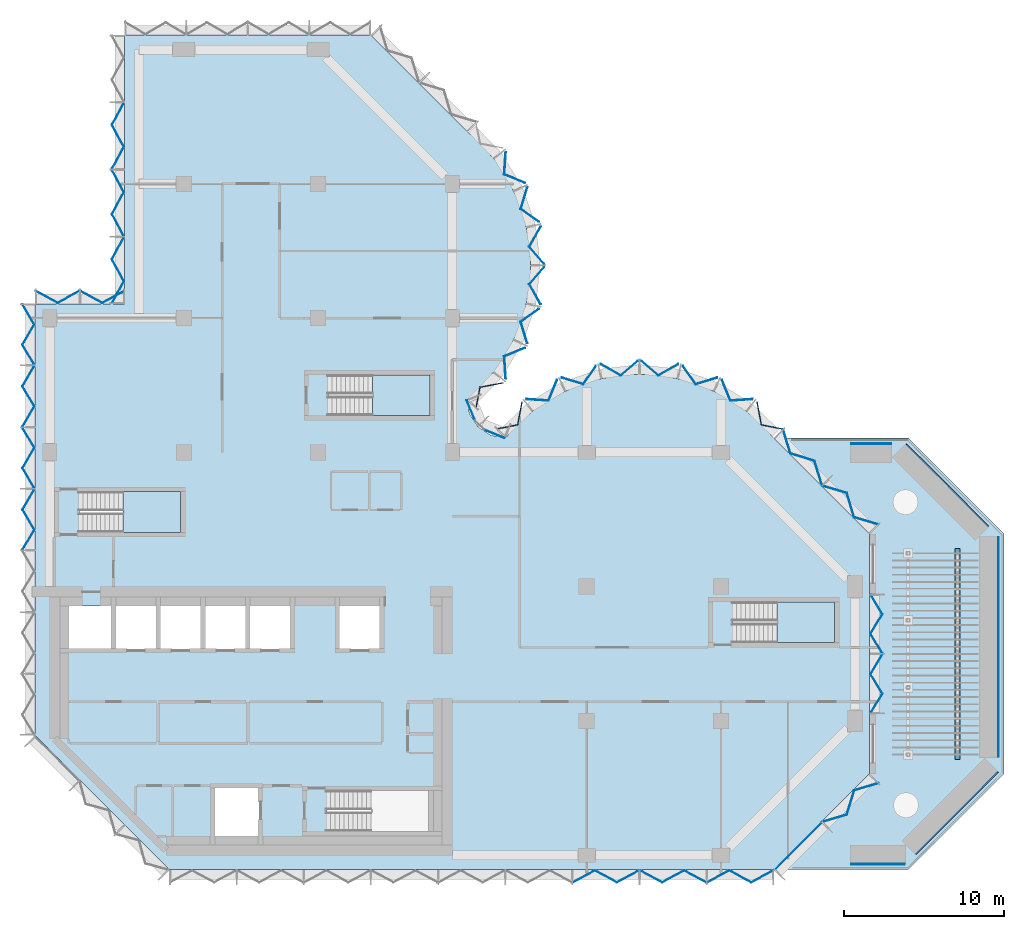
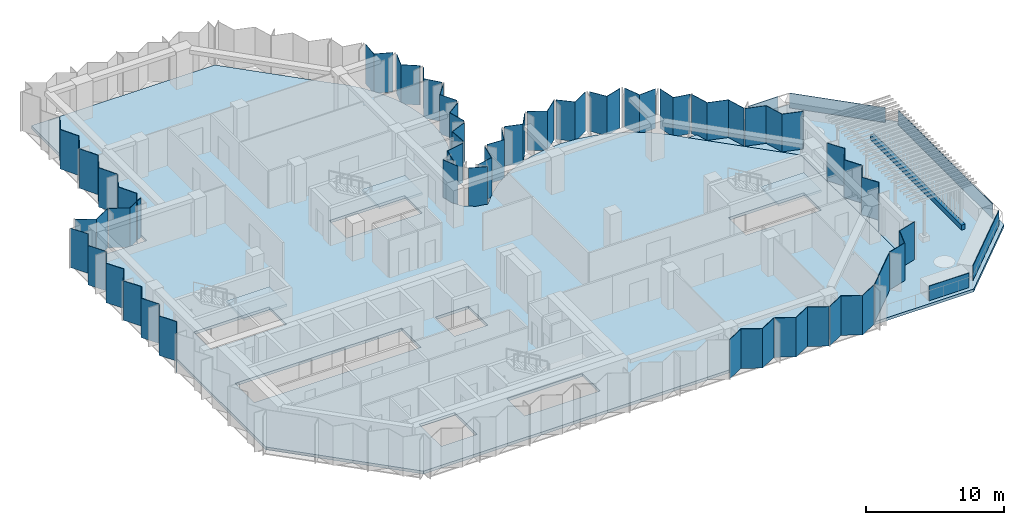
# One storey, part 6 of 14: 40 plates, 6 slabs, 13 elements without a shape of their own.
"""IFC4 building model written with IfcOpenShell, lengths in metres."""

from ifc_helpers import new_model, si_unit, direction, frame, origin, place, context, subcontext, project, spatial, polyline, outline, extrude, material, layer, layer_set, type_object, element, aggregate, save


model = new_model("IFC4")

# Units and contexts
model_context = context("Model", 3, precision=1e-05, world=origin(), true_north=direction((0.0, 1.0)))
body_context = subcontext(model_context, "Body", "Model", "MODEL_VIEW")
ifc_project = project(units=[si_unit("LENGTHUNIT", "METRE"), si_unit("AREAUNIT", "SQUARE_METRE"), si_unit("VOLUMEUNIT", "CUBIC_METRE"), si_unit("PLANEANGLEUNIT", "RADIAN"), si_unit("MASSUNIT", "GRAM", prefix="KILO")], contexts=[model_context])

# Site, building, storey
site_placement = place(None, origin())
site = spatial("IfcSite", under=ifc_project, at=site_placement, CompositionType="ELEMENT")
building_placement = place(site_placement, origin())
building = spatial("IfcBuilding", under=site, at=building_placement, Name="Brevane Broadcast Tower", CompositionType="ELEMENT")
storey_placement = place(building_placement, frame((0.0, 0.0, 184.800048828125)))
storey = spatial("IfcBuildingStorey", under=building, at=storey_placement, Name="L46", CompositionType="ELEMENT", Elevation=184.800048828125)

# Curtain wall, plates
ifc_material_1 = material(Name="Aluminium 6063-T6 bronze anodised", Category="aluminium")
curtain_wall_type = type_object("IfcCurtainWallType", Name="CW-1 curtain wall", PredefinedType="NOTDEFINED", material=ifc_material_1)
curtain_wall_1_placement = place(storey_placement, origin())
curtain_wall_1 = element("IfcCurtainWall", 1, at=curtain_wall_1_placement, inside=storey, type_object=curtain_wall_type, Name="CW-1 typical tilted unit L46 south face", PredefinedType="NOTDEFINED")
ifc_material_2 = material(Name="Laminated glass bronze-tinted", Category="glass")
ifc_layer_1 = layer(ifc_material_2, 0.0400390625)
ifc_layer_set_1 = layer_set([ifc_layer_1], Name="CW tall glass panel 40")
plate_type_1 = type_object("IfcPlateType", Name="CW tall glass panel 40", PredefinedType="CURTAIN_PANEL", material=ifc_layer_set_1)
plate_1_placement = place(storey_placement, frame((0.0, 0.0, -0.150146484375)))
plate_1 = element("IfcPlate", 2, at=plate_1_placement, type_object=plate_type_1, Name="CW-1 glass panel", PredefinedType="CURTAIN_PANEL", context=body_context, shape_type="SweptSolid", body=[
    extrude(outline(polyline([(32.735107421875, -1.671630859375), (32.735107421875, -1.717041015625), (34.11181640625, -0.97265625), (35.48828125, -1.717041015625), (36.864990234375, -0.97265625), (36.864990234375, -0.92724609375), (35.48828125, -1.671630859375), (34.11181640625, -0.92724609375), (32.735107421875, -1.671630859375)])), origin(), (0.0, 0.0, 1.0), 3.5),
])
plate_2_placement = place(storey_placement, frame((0.0, 0.0, -0.150146484375)))
plate_2 = element("IfcPlate", 3, at=plate_2_placement, type_object=plate_type_1, Name="CW-1 glass panel", PredefinedType="CURTAIN_PANEL", context=body_context, shape_type="SweptSolid", body=[
    extrude(outline(polyline([(36.93505859375, -0.92724609375), (36.93505859375, -0.97265625), (38.311767578125, -1.717041015625), (39.688232421875, -0.97265625), (41.06494140625, -1.717041015625), (41.06494140625, -1.671630859375), (39.688232421875, -0.92724609375), (38.311767578125, -1.671630859375), (36.93505859375, -0.92724609375)])), origin(), (0.0, 0.0, 1.0), 3.5),
])
plate_3_placement = place(storey_placement, frame((0.0, 0.0, -0.150146484375)))
plate_3 = element("IfcPlate", 4, at=plate_3_placement, type_object=plate_type_1, Name="CW-1 glass panel", PredefinedType="CURTAIN_PANEL", context=body_context, shape_type="SweptSolid", body=[
    extrude(outline(polyline([(41.135009765625, -1.671630859375), (41.135009765625, -1.717041015625), (42.51171875, -0.97265625), (43.88818359375, -1.717041015625), (45.264892578125, -0.97265625), (45.264892578125, -0.92724609375), (43.88818359375, -1.671630859375), (42.51171875, -0.92724609375), (41.135009765625, -1.671630859375)])), origin(), (0.0, 0.0, 1.0), 3.5),
])
aggregate(curtain_wall_1, [plate_1, plate_2, plate_3])

curtain_wall_2_placement = place(storey_placement, origin())
curtain_wall_2 = element("IfcCurtainWall", 5, at=curtain_wall_2_placement, inside=storey, type_object=curtain_wall_type, Name="CW-1 typical tilted unit L46 south-east chamfer", PredefinedType="NOTDEFINED")
plate_4_placement = place(storey_placement, frame((0.0, 0.0, -0.150146484375)))
plate_4 = element("IfcPlate", 6, at=plate_4_placement, type_object=plate_type_1, Name="CW-1 glass panel", PredefinedType="CURTAIN_PANEL", context=body_context, shape_type="SweptSolid", body=[
    extrude(outline(polyline([(45.345947265625, -0.896484375), (48.29638671875, 2.053955078125), (48.32470703125, 2.02587890625), (45.374267578125, -0.9248046875), (45.345947265625, -0.896484375)])), origin(), (0.0, 0.0, 1.0), 3.5),
])
plate_5_placement = place(storey_placement, frame((0.0, 0.0, -0.150146484375)))
plate_5 = element("IfcPlate", 7, at=plate_5_placement, type_object=plate_type_1, Name="CW-1 glass panel", PredefinedType="CURTAIN_PANEL", context=body_context, shape_type="SweptSolid", body=[
    extrude(outline(polyline([(48.343994140625, 2.10546875), (48.376220703125, 2.073486328125), (49.885986328125, 2.530517578125), (50.343017578125, 4.040283203125), (51.85302734375, 4.49755859375), (51.82080078125, 4.529541015625), (50.31103515625, 4.072509765625), (49.85400390625, 2.5625), (48.343994140625, 2.10546875)])), origin(), (0.0, 0.0, 1.0), 3.5),
])
aggregate(curtain_wall_2, [plate_4, plate_5])

curtain_wall_3_placement = place(storey_placement, origin())
curtain_wall_3 = element("IfcCurtainWall", 8, at=curtain_wall_3_placement, inside=storey, type_object=curtain_wall_type, Name="CW-1 typical tilted unit L46 east end", PredefinedType="NOTDEFINED")
plate_6_placement = place(storey_placement, frame((0.0, 0.0, -0.150146484375)))
plate_6 = element("IfcPlate", 9, at=plate_6_placement, type_object=plate_type_1, Name="CW-1 glass panel", PredefinedType="CURTAIN_PANEL", context=body_context, shape_type="SweptSolid", body=[
    extrude(outline(polyline([(51.32666015625, 8.885009765625), (51.373291015625, 8.885009765625), (52.117919921875, 10.11181640625), (51.373291015625, 11.33837890625), (52.117919921875, 12.56494140625), (52.071044921875, 12.56494140625), (51.32666015625, 11.33837890625), (52.071044921875, 10.11181640625), (51.32666015625, 8.885009765625)])), origin(), (0.0, 0.0, 1.0), 3.5),
])
plate_7_placement = place(storey_placement, frame((0.0, 0.0, -0.150146484375)))
plate_7 = element("IfcPlate", 10, at=plate_7_placement, type_object=plate_type_1, Name="CW-1 glass panel", PredefinedType="CURTAIN_PANEL", context=body_context, shape_type="SweptSolid", body=[
    extrude(outline(polyline([(52.071044921875, 12.635009765625), (52.117919921875, 12.635009765625), (51.373291015625, 13.86181640625), (52.117919921875, 15.08837890625), (51.373291015625, 16.31494140625), (51.32666015625, 16.31494140625), (52.071044921875, 15.08837890625), (51.32666015625, 13.86181640625), (52.071044921875, 12.635009765625)])), origin(), (0.0, 0.0, 1.0), 3.5),
])
aggregate(curtain_wall_3, [plate_6, plate_7])

curtain_wall_4_placement = place(storey_placement, origin())
curtain_wall_4 = element("IfcCurtainWall", 11, at=curtain_wall_4_placement, inside=storey, type_object=curtain_wall_type, Name="CW-1 typical tilted unit L46 north-east chamfer", PredefinedType="NOTDEFINED")
plate_8_placement = place(storey_placement, frame((0.0, 0.0, -0.150146484375)))
plate_8 = element("IfcPlate", 12, at=plate_8_placement, type_object=plate_type_1, Name="CW-1 glass panel", PredefinedType="CURTAIN_PANEL", context=body_context, shape_type="SweptSolid", body=[
    extrude(outline(polyline([(51.82080078125, 20.67041015625), (51.85302734375, 20.702392578125), (50.343017578125, 21.15966796875), (49.885986328125, 22.66943359375), (48.376220703125, 23.126708984375), (48.343994140625, 23.094482421875), (49.85400390625, 22.637451171875), (50.31103515625, 21.127685546875), (51.82080078125, 20.67041015625)])), origin(), (0.0, 0.0, 1.0), 3.5),
])
plate_9_placement = place(storey_placement, frame((0.0, 0.0, -0.150146484375)))
plate_9 = element("IfcPlate", 13, at=plate_9_placement, type_object=plate_type_1, Name="CW-1 glass panel", PredefinedType="CURTAIN_PANEL", context=body_context, shape_type="SweptSolid", body=[
    extrude(outline(polyline([(48.294677734375, 23.14404296875), (48.32666015625, 23.176025390625), (47.869384765625, 24.68603515625), (46.359619140625, 25.14306640625), (45.902587890625, 26.653076171875), (45.870361328125, 26.620849609375), (46.32763671875, 25.111083984375), (47.83740234375, 24.65380859375), (48.294677734375, 23.14404296875)])), origin(), (0.0, 0.0, 1.0), 3.5),
])
aggregate(curtain_wall_4, [plate_8, plate_9])

curtain_wall_5_placement = place(storey_placement, origin())
curtain_wall_5 = element("IfcCurtainWall", 14, at=curtain_wall_5_placement, inside=storey, type_object=curtain_wall_type, Name="CW-1 typical tilted unit L46 east bow", PredefinedType="NOTDEFINED")
plate_10_placement = place(storey_placement, frame((0.0, 0.0, -0.150146484375)))
plate_10 = element("IfcPlate", 15, at=plate_10_placement, type_object=plate_type_1, Name="CW-1 glass panel", PredefinedType="CURTAIN_PANEL", context=body_context, shape_type="SweptSolid", body=[
    extrude(outline(polyline([(45.79150390625, 26.656005859375), (45.82470703125, 26.690185546875), (44.539306640625, 26.9423828125), (44.263916015625, 28.3857421875), (44.231201171875, 28.34375), (44.5048828125, 26.908203125), (45.79150390625, 26.656005859375)])), origin(), (0.0, 0.0, 1.0), 3.5),
])
plate_11_placement = place(storey_placement, frame((0.0, 0.0, -0.150146484375)))
plate_11 = element("IfcPlate", 16, at=plate_11_placement, type_object=plate_type_1, Name="CW-1 glass panel", PredefinedType="CURTAIN_PANEL", context=body_context, shape_type="SweptSolid", body=[
    extrude(outline(polyline([(43.950439453125, 28.5087890625), (43.9833984375, 28.551025390625), (42.601318359375, 28.462890625), (42.0703125, 29.76171875), (42.046875, 29.712890625), (42.5751953125, 28.42138671875), (43.950439453125, 28.5087890625)])), origin(), (0.0, 0.0, 1.0), 3.5),
])
plate_12_placement = place(storey_placement, frame((0.0, 0.0, -0.150146484375)))
plate_12 = element("IfcPlate", 17, at=plate_12_placement, type_object=plate_type_1, Name="CW-1 glass panel", PredefinedType="CURTAIN_PANEL", context=body_context, shape_type="SweptSolid", body=[
    extrude(outline(polyline([(41.75537109375, 29.851806640625), (41.778564453125, 29.900634765625), (40.435546875, 29.494384765625), (39.6328125, 30.622802734375), (39.62060546875, 30.57080078125), (40.41943359375, 29.44775390625), (41.75537109375, 29.851806640625)])), origin(), (0.0, 0.0, 1.0), 3.5),
])
plate_13_placement = place(storey_placement, frame((0.0, 0.0, -0.150146484375)))
plate_13 = element("IfcPlate", 18, at=plate_13_placement, type_object=plate_type_1, Name="CW-1 glass panel", PredefinedType="CURTAIN_PANEL", context=body_context, shape_type="SweptSolid", body=[
    extrude(outline(polyline([(39.31640625, 30.68798828125), (39.328369140625, 30.740478515625), (38.069580078125, 30.036376953125), (37.008056640625, 30.94921875), (37.008056640625, 30.896484375), (38.064697265625, 29.98779296875), (39.31640625, 30.68798828125)])), origin(), (0.0, 0.0, 1.0), 3.5),
])
plate_14_placement = place(storey_placement, frame((0.0, 0.0, -0.150146484375)))
plate_14 = element("IfcPlate", 19, at=plate_14_placement, type_object=plate_type_1, Name="CW-1 glass panel", PredefinedType="CURTAIN_PANEL", context=body_context, shape_type="SweptSolid", body=[
    extrude(outline(polyline([(36.7919921875, 30.896484375), (36.7919921875, 30.94921875), (35.730224609375, 30.036376953125), (34.4716796875, 30.740478515625), (34.483642578125, 30.68798828125), (35.735107421875, 29.98779296875), (36.7919921875, 30.896484375)])), origin(), (0.0, 0.0, 1.0), 3.5),
])
plate_15_placement = place(storey_placement, frame((0.0, 0.0, -0.150146484375)))
plate_15 = element("IfcPlate", 20, at=plate_15_placement, type_object=plate_type_1, Name="CW-1 glass panel", PredefinedType="CURTAIN_PANEL", context=body_context, shape_type="SweptSolid", body=[
    extrude(outline(polyline([(34.17919921875, 30.57080078125), (34.167236328125, 30.622802734375), (33.364501953125, 29.494384765625), (32.021484375, 29.900634765625), (32.044677734375, 29.851806640625), (33.380615234375, 29.44775390625), (34.17919921875, 30.57080078125)])), origin(), (0.0, 0.0, 1.0), 3.5),
])
plate_16_placement = place(storey_placement, frame((0.0, 0.0, -0.150146484375)))
plate_16 = element("IfcPlate", 21, at=plate_16_placement, type_object=plate_type_1, Name="CW-1 glass panel", PredefinedType="CURTAIN_PANEL", context=body_context, shape_type="SweptSolid", body=[
    extrude(outline(polyline([(31.753173828125, 29.712890625), (31.729736328125, 29.76171875), (31.198486328125, 28.462890625), (29.816650390625, 28.551025390625), (29.849609375, 28.5087890625), (31.224609375, 28.42138671875), (31.753173828125, 29.712890625)])), origin(), (0.0, 0.0, 1.0), 3.5),
])
plate_17_placement = place(storey_placement, frame((0.0, 0.0, -0.150146484375)))
plate_17 = element("IfcPlate", 22, at=plate_17_placement, type_object=plate_type_1, Name="CW-1 glass panel", PredefinedType="CURTAIN_PANEL", context=body_context, shape_type="SweptSolid", body=[
    extrude(outline(polyline([(29.568603515625, 28.34375), (29.535888671875, 28.3857421875), (29.2607421875, 26.9423828125), (27.975341796875, 26.690185546875), (28.008544921875, 26.656005859375), (29.294921875, 26.908203125), (29.568603515625, 28.34375)])), origin(), (0.0, 0.0, 1.0), 3.5),
])
aggregate(curtain_wall_5, [plate_10, plate_11, plate_12, plate_13, plate_14, plate_15, plate_16, plate_17])

curtain_wall_6_placement = place(storey_placement, origin())
curtain_wall_6 = element("IfcCurtainWall", 23, at=curtain_wall_6_placement, inside=storey, type_object=curtain_wall_type, Name="CW-1 typical tilted unit L46 inner corner", PredefinedType="NOTDEFINED")
plate_18_placement = place(storey_placement, frame((0.0, 0.0, -0.150146484375)))
plate_18 = element("IfcPlate", 24, at=plate_18_placement, type_object=plate_type_1, Name="CW-1 glass panel", PredefinedType="CURTAIN_PANEL", context=body_context, shape_type="SweptSolid", body=[
    extrude(outline(polyline([(28.45166015625, 26.07470703125), (28.466796875, 26.111572265625), (27.2021484375, 26.635498046875), (27.17138671875, 26.60498046875), (28.45166015625, 26.07470703125)])), origin(), (0.0, 0.0, 1.0), 3.5),
])
plate_19_placement = place(storey_placement, frame((0.0, 0.0, -0.150146484375)))
plate_19 = element("IfcPlate", 25, at=plate_19_placement, type_object=plate_type_1, Name="CW-1 glass panel", PredefinedType="CURTAIN_PANEL", context=body_context, shape_type="SweptSolid", body=[
    extrude(outline(polyline([(26.60498046875, 27.17138671875), (26.635498046875, 27.2021484375), (26.111572265625, 28.466796875), (26.07470703125, 28.45166015625), (26.60498046875, 27.17138671875)])), origin(), (0.0, 0.0, 1.0), 3.5),
])
aggregate(curtain_wall_6, [plate_18, plate_19])

curtain_wall_7_placement = place(storey_placement, origin())
curtain_wall_7 = element("IfcCurtainWall", 26, at=curtain_wall_7_placement, inside=storey, type_object=curtain_wall_type, Name="CW-1 typical tilted unit L46 north bow", PredefinedType="NOTDEFINED")
plate_20_placement = place(storey_placement, frame((0.0, 0.0, -0.150146484375)))
plate_20 = element("IfcPlate", 27, at=plate_20_placement, type_object=plate_type_1, Name="CW-1 glass panel", PredefinedType="CURTAIN_PANEL", context=body_context, shape_type="SweptSolid", body=[
    extrude(outline(polyline([(26.656005859375, 28.008544921875), (26.690185546875, 27.975341796875), (26.9423828125, 29.2607421875), (28.3857421875, 29.535888671875), (28.34375, 29.568603515625), (26.908203125, 29.294921875), (26.656005859375, 28.008544921875)])), origin(), (0.0, 0.0, 1.0), 3.5),
])
plate_21_placement = place(storey_placement, frame((0.0, 0.0, -0.150146484375)))
plate_21 = element("IfcPlate", 28, at=plate_21_placement, type_object=plate_type_1, Name="CW-1 glass panel", PredefinedType="CURTAIN_PANEL", context=body_context, shape_type="SweptSolid", body=[
    extrude(outline(polyline([(28.5087890625, 29.849609375), (28.551025390625, 29.816650390625), (28.462890625, 31.198486328125), (29.76171875, 31.729736328125), (29.712890625, 31.753173828125), (28.42138671875, 31.224609375), (28.5087890625, 29.849609375)])), origin(), (0.0, 0.0, 1.0), 3.5),
])
plate_22_placement = place(storey_placement, frame((0.0, 0.0, -0.150146484375)))
plate_22 = element("IfcPlate", 29, at=plate_22_placement, type_object=plate_type_1, Name="CW-1 glass panel", PredefinedType="CURTAIN_PANEL", context=body_context, shape_type="SweptSolid", body=[
    extrude(outline(polyline([(29.851806640625, 32.044677734375), (29.900634765625, 32.021484375), (29.494384765625, 33.364501953125), (30.622802734375, 34.167236328125), (30.57080078125, 34.17919921875), (29.44775390625, 33.380615234375), (29.851806640625, 32.044677734375)])), origin(), (0.0, 0.0, 1.0), 3.5),
])
plate_23_placement = place(storey_placement, frame((0.0, 0.0, -0.150146484375)))
plate_23 = element("IfcPlate", 30, at=plate_23_placement, type_object=plate_type_1, Name="CW-1 glass panel", PredefinedType="CURTAIN_PANEL", context=body_context, shape_type="SweptSolid", body=[
    extrude(outline(polyline([(30.68798828125, 34.483642578125), (30.740478515625, 34.4716796875), (30.036376953125, 35.730224609375), (30.94921875, 36.7919921875), (30.896484375, 36.7919921875), (29.98779296875, 35.735107421875), (30.68798828125, 34.483642578125)])), origin(), (0.0, 0.0, 1.0), 3.5),
])
plate_24_placement = place(storey_placement, frame((0.0, 0.0, -0.150146484375)))
plate_24 = element("IfcPlate", 31, at=plate_24_placement, type_object=plate_type_1, Name="CW-1 glass panel", PredefinedType="CURTAIN_PANEL", context=body_context, shape_type="SweptSolid", body=[
    extrude(outline(polyline([(30.896484375, 37.008056640625), (30.94921875, 37.008056640625), (30.036376953125, 38.069580078125), (30.740478515625, 39.328369140625), (30.68798828125, 39.31640625), (29.98779296875, 38.064697265625), (30.896484375, 37.008056640625)])), origin(), (0.0, 0.0, 1.0), 3.5),
])
plate_25_placement = place(storey_placement, frame((0.0, 0.0, -0.150146484375)))
plate_25 = element("IfcPlate", 32, at=plate_25_placement, type_object=plate_type_1, Name="CW-1 glass panel", PredefinedType="CURTAIN_PANEL", context=body_context, shape_type="SweptSolid", body=[
    extrude(outline(polyline([(30.57080078125, 39.62060546875), (30.622802734375, 39.6328125), (29.494384765625, 40.435546875), (29.900634765625, 41.778564453125), (29.851806640625, 41.75537109375), (29.44775390625, 40.41943359375), (30.57080078125, 39.62060546875)])), origin(), (0.0, 0.0, 1.0), 3.5),
])
plate_26_placement = place(storey_placement, frame((0.0, 0.0, -0.150146484375)))
plate_26 = element("IfcPlate", 33, at=plate_26_placement, type_object=plate_type_1, Name="CW-1 glass panel", PredefinedType="CURTAIN_PANEL", context=body_context, shape_type="SweptSolid", body=[
    extrude(outline(polyline([(29.712890625, 42.046875), (29.76171875, 42.0703125), (28.462890625, 42.601318359375), (28.551025390625, 43.9833984375), (28.5087890625, 43.950439453125), (28.42138671875, 42.5751953125), (29.712890625, 42.046875)])), origin(), (0.0, 0.0, 1.0), 3.5),
])
aggregate(curtain_wall_7, [plate_20, plate_21, plate_22, plate_23, plate_24, plate_25, plate_26])

curtain_wall_8_placement = place(storey_placement, origin())
curtain_wall_8 = element("IfcCurtainWall", 34, at=curtain_wall_8_placement, inside=storey, type_object=curtain_wall_type, Name="CW-1 typical tilted unit L46 north wing west face, lower block", PredefinedType="NOTDEFINED")
plate_27_placement = place(storey_placement, frame((0.0, 0.0, -0.150146484375)))
plate_27 = element("IfcPlate", 35, at=plate_27_placement, type_object=plate_type_1, Name="CW-1 glass panel", PredefinedType="CURTAIN_PANEL", context=body_context, shape_type="SweptSolid", body=[
    extrude(outline(polyline([(4.672607421875, 47.06494140625), (4.627197265625, 47.06494140625), (3.8828125, 45.688232421875), (4.627197265625, 44.311767578125), (3.8828125, 42.93505859375), (3.92822265625, 42.93505859375), (4.672607421875, 44.311767578125), (3.92822265625, 45.688232421875), (4.672607421875, 47.06494140625)])), origin(), (0.0, 0.0, 1.0), 3.5),
])
plate_28_placement = place(storey_placement, frame((0.0, 0.0, -0.150146484375)))
plate_28 = element("IfcPlate", 36, at=plate_28_placement, type_object=plate_type_1, Name="CW-1 glass panel", PredefinedType="CURTAIN_PANEL", context=body_context, shape_type="SweptSolid", body=[
    extrude(outline(polyline([(3.92822265625, 42.864990234375), (3.8828125, 42.864990234375), (4.627197265625, 41.48828125), (3.8828125, 40.11181640625), (4.627197265625, 38.735107421875), (4.672607421875, 38.735107421875), (3.92822265625, 40.11181640625), (4.672607421875, 41.48828125), (3.92822265625, 42.864990234375)])), origin(), (0.0, 0.0, 1.0), 3.5),
])
plate_29_placement = place(storey_placement, frame((0.0, 0.0, -0.150146484375)))
plate_29 = element("IfcPlate", 37, at=plate_29_placement, type_object=plate_type_1, Name="CW-1 glass panel", PredefinedType="CURTAIN_PANEL", context=body_context, shape_type="SweptSolid", body=[
    extrude(outline(polyline([(4.672607421875, 38.6650390625), (4.627197265625, 38.6650390625), (3.8828125, 37.288330078125), (4.627197265625, 35.91162109375), (3.8828125, 34.534912109375), (3.92822265625, 34.534912109375), (4.672607421875, 35.91162109375), (3.92822265625, 37.288330078125), (4.672607421875, 38.6650390625)])), origin(), (0.0, 0.0, 1.0), 3.5),
])
aggregate(curtain_wall_8, [plate_27, plate_28, plate_29])

curtain_wall_9_placement = place(storey_placement, origin())
curtain_wall_9 = element("IfcCurtainWall", 38, at=curtain_wall_9_placement, inside=storey, type_object=curtain_wall_type, Name="CW-1 typical tilted unit L46 north wing west return, lower block", PredefinedType="NOTDEFINED")
plate_30_placement = place(storey_placement, frame((0.0, 0.0, -0.150146484375)))
plate_30 = element("IfcPlate", 39, at=plate_30_placement, type_object=plate_type_1, Name="CW-1 glass panel", PredefinedType="CURTAIN_PANEL", context=body_context, shape_type="SweptSolid", body=[
    extrude(outline(polyline([(4.6650390625, 35.271484375), (4.6650390625, 35.317138671875), (3.300048828125, 34.57275390625), (1.93505859375, 35.317138671875), (1.93505859375, 35.271484375), (3.300048828125, 34.527099609375), (4.6650390625, 35.271484375)])), origin(), (0.0, 0.0, 1.0), 3.5),
])
plate_31_placement = place(storey_placement, frame((0.0, 0.0, -0.150146484375)))
plate_31 = element("IfcPlate", 40, at=plate_31_placement, type_object=plate_type_1, Name="CW-1 glass panel", PredefinedType="CURTAIN_PANEL", context=body_context, shape_type="SweptSolid", body=[
    extrude(outline(polyline([(1.864990234375, 35.271484375), (1.864990234375, 35.317138671875), (0.5, 34.57275390625), (-0.864990234375, 35.317138671875), (-0.864990234375, 35.271484375), (0.5, 34.527099609375), (1.864990234375, 35.271484375)])), origin(), (0.0, 0.0, 1.0), 3.5),
])
aggregate(curtain_wall_9, [plate_30, plate_31])

curtain_wall_10_placement = place(storey_placement, origin())
curtain_wall_10 = element("IfcCurtainWall", 41, at=curtain_wall_10_placement, inside=storey, type_object=curtain_wall_type, Name="CW-1 typical tilted unit L46 west face", PredefinedType="NOTDEFINED")
plate_32_placement = place(storey_placement, frame((0.0, 0.0, -0.150146484375)))
plate_32 = element("IfcPlate", 42, at=plate_32_placement, type_object=plate_type_1, Name="CW-1 glass panel", PredefinedType="CURTAIN_PANEL", context=body_context, shape_type="SweptSolid", body=[
    extrude(outline(polyline([(-1.671142578125, 34.465087890625), (-1.717529296875, 34.465087890625), (-0.97314453125, 33.20263671875), (-1.717529296875, 31.940185546875), (-0.97314453125, 30.677978515625), (-0.9267578125, 30.677978515625), (-1.671142578125, 31.940185546875), (-0.9267578125, 33.20263671875), (-1.671142578125, 34.465087890625)])), origin(), (0.0, 0.0, 1.0), 3.5),
])
plate_33_placement = place(storey_placement, frame((0.0, 0.0, -0.150146484375)))
plate_33 = element("IfcPlate", 43, at=plate_33_placement, type_object=plate_type_1, Name="CW-1 glass panel", PredefinedType="CURTAIN_PANEL", context=body_context, shape_type="SweptSolid", body=[
    extrude(outline(polyline([(-0.9267578125, 30.60791015625), (-0.97314453125, 30.60791015625), (-1.717529296875, 29.345458984375), (-0.97314453125, 28.0830078125), (-1.717529296875, 26.82080078125), (-1.671142578125, 26.82080078125), (-0.9267578125, 28.0830078125), (-1.671142578125, 29.345458984375), (-0.9267578125, 30.60791015625)])), origin(), (0.0, 0.0, 1.0), 3.5),
])
plate_34_placement = place(storey_placement, frame((0.0, 0.0, -0.150146484375)))
plate_34 = element("IfcPlate", 44, at=plate_34_placement, type_object=plate_type_1, Name="CW-1 glass panel", PredefinedType="CURTAIN_PANEL", context=body_context, shape_type="SweptSolid", body=[
    extrude(outline(polyline([(-1.671142578125, 26.750732421875), (-1.717529296875, 26.750732421875), (-0.97314453125, 25.48828125), (-1.717529296875, 24.22607421875), (-0.97314453125, 22.963623046875), (-0.9267578125, 22.963623046875), (-1.671142578125, 24.22607421875), (-0.9267578125, 25.48828125), (-1.671142578125, 26.750732421875)])), origin(), (0.0, 0.0, 1.0), 3.5),
])
plate_35_placement = place(storey_placement, frame((0.0, 0.0, -0.150146484375)))
plate_35 = element("IfcPlate", 45, at=plate_35_placement, type_object=plate_type_1, Name="CW-1 glass panel", PredefinedType="CURTAIN_PANEL", context=body_context, shape_type="SweptSolid", body=[
    extrude(outline(polyline([(-0.9267578125, 22.8935546875), (-0.97314453125, 22.8935546875), (-1.717529296875, 21.631103515625), (-0.97314453125, 20.368896484375), (-1.717529296875, 19.1064453125), (-1.671142578125, 19.1064453125), (-0.9267578125, 20.368896484375), (-1.671142578125, 21.631103515625), (-0.9267578125, 22.8935546875)])), origin(), (0.0, 0.0, 1.0), 3.5),
])
aggregate(curtain_wall_10, [plate_32, plate_33, plate_34, plate_35])

# Stair, slab
ifc_material_3 = material(Name="Concrete C50/60", Category="concrete")
stair_type = type_object("IfcStairType", Name="Exit stair 22 risers", PredefinedType="HALF_TURN_STAIR", material=ifc_material_3)
stair_1_placement = place(storey_placement, origin())
stair_1 = element("IfcStair", 46, at=stair_1_placement, inside=storey, type_object=stair_type, Name="L46 Exit stair ST-1", PredefinedType="HALF_TURN_STAIR")
ifc_layer_2 = layer(ifc_material_3, 0.199951171875)
ifc_layer_set_2 = layer_set([ifc_layer_2], Name="Exit stair landing")
slab_type_1 = type_object("IfcSlabType", Name="Exit stair landing", PredefinedType="LANDING", material=ifc_layer_set_2)
slab_1_placement = place(storey_placement, frame((0.0, 0.0, 1.599853515625)))
slab_1 = element("IfcSlab", 47, at=slab_1_placement, type_object=slab_type_1, Name="ST-1 landing 1", PredefinedType="LANDING", context=body_context, shape_type="SweptSolid", body=[
    extrude(outline(polyline([(4.60009765625, 20.199951171875), (8.199951171875, 20.199951171875), (8.199951171875, 22.75), (4.60009765625, 22.75), (4.60009765625, 20.199951171875)])), origin(), (0.0, 0.0, 1.0), 0.2001953125),
])
aggregate(stair_1, [slab_1])

stair_2_placement = place(storey_placement, origin())
stair_2 = element("IfcStair", 48, at=stair_2_placement, inside=storey, type_object=stair_type, Name="L46 Exit stair ST-3", PredefinedType="HALF_TURN_STAIR")
slab_2_placement = place(storey_placement, frame((0.0, 0.0, 1.599853515625)))
slab_2 = element("IfcSlab", 49, at=slab_2_placement, type_object=slab_type_1, Name="ST-3 landing 1", PredefinedType="LANDING", context=body_context, shape_type="SweptSolid", body=[
    extrude(outline(polyline([(20.199951171875, 27.5), (23.800048828125, 27.5), (23.800048828125, 30.050048828125), (20.199951171875, 30.050048828125), (20.199951171875, 27.5)])), origin(), (0.0, 0.0, 1.0), 0.2001953125),
])
aggregate(stair_2, [slab_2])

stair_3_placement = place(storey_placement, origin())
stair_3 = element("IfcStair", 50, at=stair_3_placement, inside=storey, type_object=stair_type, Name="L46 Exit stair ST-4", PredefinedType="HALF_TURN_STAIR")
slab_3_placement = place(storey_placement, frame((0.0, 0.0, 1.599853515625)))
slab_3 = element("IfcSlab", 51, at=slab_3_placement, type_object=slab_type_1, Name="ST-4 landing 1", PredefinedType="LANDING", context=body_context, shape_type="SweptSolid", body=[
    extrude(outline(polyline([(45.5, 13.300048828125), (49.10009765625, 13.300048828125), (49.10009765625, 15.85009765625), (45.5, 15.85009765625), (45.5, 13.300048828125)])), origin(), (0.0, 0.0, 1.0), 0.2001953125),
])
aggregate(stair_3, [slab_3])

# Plates
ifc_material_4 = material(Name="Aluminium bronze anodised", Category="aluminium")
ifc_layer_3 = layer(ifc_material_4, 0.050048828125)
ifc_layer_set_3 = layer_set([ifc_layer_3], Name="Planter fascia plate 1300")
plate_type_2 = type_object("IfcPlateType", Name="Planter fascia plate 1300", PredefinedType="SHEET", material=ifc_layer_set_3)
plate_36_placement = place(storey_placement, frame((50.137451171875, -0.574951171875, 0.0), z_axis=(0.0, -1.0, 0.0), x_axis=(1.0, 0.0, 0.0)))
element("IfcPlate", 52, at=plate_36_placement, inside=storey, type_object=plate_type_2, Name="Bed fascia L46-1", PredefinedType="SHEET", context=body_context, shape_type="SweptSolid", body=[
    extrude(outline(polyline([(0.0, 0.0), (3.357666015625, 0.0), (3.357666015625, 1.300048828125), (0.0, 1.300048828125), (0.0, 0.0)])), origin(), (0.0, 0.0, -1.0), 0.050048828125),
])
plate_37_placement = place(storey_placement, frame((54.215087890625, 0.07470703125, 0.0), z_axis=(0.707106781187, -0.707106781187, 0.0), x_axis=(0.707106781187, 0.707106781187, 0.0)))
element("IfcPlate", 53, at=plate_37_placement, inside=storey, type_object=plate_type_2, Name="Bed fascia L46-2", PredefinedType="SHEET", context=body_context, shape_type="SweptSolid", body=[
    extrude(outline(polyline([(0.0, 0.0), (7.226783221199037, 0.0), (7.226783221199037, 1.3000488281250002), (0.0, 1.3000488281250002), (0.0, 0.0)])), origin(), (0.0, 0.0, -1.0), 0.050048828125),
])
plate_38_placement = place(storey_placement, frame((59.375, 6.153564453125, 0.0), z_axis=(1.0, 0.0, 0.0), x_axis=(0.0, 1.0, 0.0)))
element("IfcPlate", 54, at=plate_38_placement, inside=storey, type_object=plate_type_2, Name="Bed fascia L46-3", PredefinedType="SHEET", context=body_context, shape_type="SweptSolid", body=[
    extrude(outline(polyline([(0.0, 0.0), (13.741455078125, 0.0), (13.741455078125, 1.300048828125), (0.0, 1.300048828125), (0.0, 0.0)])), origin(), (0.0, 0.0, -1.0), 0.050048828125),
])
plate_39_placement = place(storey_placement, frame((58.725341796875, 20.615234375, 0.0), z_axis=(0.707106781187, 0.707106781187, 0.0), x_axis=(-0.707106781187, 0.707106781187, 0.0)))
element("IfcPlate", 55, at=plate_39_placement, inside=storey, type_object=plate_type_2, Name="Bed fascia L46-4", PredefinedType="SHEET", context=body_context, shape_type="SweptSolid", body=[
    extrude(outline(polyline([(0.0, 0.0), (7.226783221199037, 0.0), (7.226783221199037, 1.3000488281250002), (0.0, 1.3000488281250002), (0.0, 0.0)])), origin(), (0.0, 0.0, -1.0), 0.050048828125),
])
plate_40_placement = place(storey_placement, frame((52.646484375, 25.77490234375, 0.0), z_axis=(0.0, 1.0, 0.0), x_axis=(-1.0, 0.0, 0.0)))
element("IfcPlate", 56, at=plate_40_placement, inside=storey, type_object=plate_type_2, Name="Bed fascia L46-5", PredefinedType="SHEET", context=body_context, shape_type="SweptSolid", body=[
    extrude(outline(polyline([(0.0, 0.0), (2.509033203125, 0.0), (2.509033203125, 1.300048828125), (0.0, 1.300048828125), (0.0, 0.0)])), origin(), (0.0, 0.0, -1.0), 0.050048828125),
])

# Slabs
ifc_material_5 = material(Name="Concrete C40/50", Category="concrete")
ifc_layer_4 = layer(ifc_material_5, 0.25)
ifc_layer_set_4 = layer_set([ifc_layer_4], Name="RC FLOOR SLAB 250 C40/50")
slab_type_2 = type_object("IfcSlabType", Name="RC FLOOR SLAB 250 C40/50", PredefinedType="FLOOR", material=ifc_layer_set_4)
slab_4_placement = place(storey_placement, frame((0.0, 0.0, -0.25)))
element("IfcSlab", 57, at=slab_4_placement, inside=storey, type_object=slab_type_2, Name="SL250 L46", PredefinedType="FLOOR", context=body_context, shape_type="SweptSolid", body=[
    extrude(outline(polyline([(-0.89990234375, 7.5), (-0.89990234375, 34.5), (4.699951171875, 34.5), (4.699951171875, 51.300048828125), (20.10009765625, 51.300048828125), (26.10009765625, 45.300048828125), (27.10888671875, 44.36865234375), (27.99169921875, 43.317138671875), (28.734130859375, 42.162353515625), (29.324462890625, 40.922607421875), (29.7529296875, 39.618408203125), (30.012939453125, 38.270263671875), (30.10009765625, 36.89990234375), (30.012939453125, 35.52978515625), (29.7529296875, 34.181640625), (29.324462890625, 32.877197265625), (28.734130859375, 31.6376953125), (27.99169921875, 30.48291015625), (27.10888671875, 29.431396484375), (26.10009765625, 28.5), (26.28271484375, 27.58154296875), (26.802978515625, 26.802978515625), (27.58154296875, 26.28271484375), (28.5, 26.10009765625), (29.431396484375, 27.10888671875), (30.48291015625, 27.99169921875), (31.6376953125, 28.734130859375), (32.877197265625, 29.324462890625), (34.181640625, 29.7529296875), (35.52978515625, 30.012939453125), (36.89990234375, 30.10009765625), (38.270263671875, 30.012939453125), (39.618408203125, 29.7529296875), (40.922607421875, 29.324462890625), (42.162353515625, 28.734130859375), (43.317138671875, 27.99169921875), (44.36865234375, 27.10888671875), (45.300048828125, 26.10009765625), (51.300048828125, 20.10009765625), (51.300048828125, 5.10009765625), (45.300048828125, -0.89990234375), (7.5, -0.89990234375), (-0.89990234375, 7.5)]), holes=[polyline([(13.199951171875, 4.39990234375), (10.199951171875, 4.39990234375), (10.199951171875, 1.199951171875), (13.199951171875, 1.199951171875), (13.199951171875, 4.39990234375)]), polyline([(4.0, 15.60009765625), (1.199951171875, 15.60009765625), (1.199951171875, 12.800048828125), (4.0, 12.800048828125), (6.800048828125, 12.800048828125), (9.60009765625, 12.800048828125), (12.39990234375, 12.800048828125), (15.199951171875, 12.800048828125), (15.199951171875, 15.60009765625), (12.39990234375, 15.60009765625), (9.60009765625, 15.60009765625), (6.800048828125, 15.60009765625), (4.0, 15.60009765625)]), polyline([(1.860107421875, 22.75), (1.860107421875, 20.199951171875), (8.199951171875, 20.199951171875), (8.199951171875, 22.75), (1.860107421875, 22.75)]), polyline([(23.699951171875, 4.050048828125), (17.360107421875, 4.050048828125), (17.360107421875, 1.5), (23.699951171875, 1.5), (23.699951171875, 4.050048828125)]), polyline([(20.800048828125, 15.60009765625), (18.0, 15.60009765625), (18.0, 12.800048828125), (20.800048828125, 12.800048828125), (20.800048828125, 15.60009765625)]), polyline([(49.10009765625, 15.85009765625), (42.760009765625, 15.85009765625), (42.760009765625, 13.300048828125), (49.10009765625, 13.300048828125), (49.10009765625, 15.85009765625)]), polyline([(23.800048828125, 30.050048828125), (17.4599609375, 30.050048828125), (17.4599609375, 27.5), (23.800048828125, 27.5), (23.800048828125, 30.050048828125)])]), origin(), (0.0, 0.0, 1.0), 0.25),
])
ifc_layer_5 = layer(ifc_material_5, 0.25)
ifc_layer_set_5 = layer_set([ifc_layer_5], Name="RC ROOF SLAB 250 C40/50")
slab_type_3 = type_object("IfcSlabType", Name="RC ROOF SLAB 250 C40/50", PredefinedType="ROOF", material=ifc_layer_set_5)
slab_5_placement = place(storey_placement, frame((0.0, 0.0, -0.25)))
element("IfcSlab", 58, at=slab_5_placement, inside=storey, type_object=slab_type_3, Name="SR250 L46", PredefinedType="ROOF", context=body_context, shape_type="SweptSolid", body=[
    extrude(outline(polyline([(59.699951171875, 20.10009765625), (59.699951171875, 5.10009765625), (53.699951171875, -0.89990234375), (45.300048828125, -0.89990234375), (51.300048828125, 5.10009765625), (51.300048828125, 20.10009765625), (45.300048828125, 26.10009765625), (53.699951171875, 26.10009765625), (59.699951171875, 20.10009765625)])), origin(), (0.0, 0.0, 1.0), 0.25),
])
ifc_material_6 = material(Name="Concrete C30/37", Category="concrete")
ifc_layer_6 = layer(ifc_material_6, 0.449951171875)
ifc_layer_set_6 = layer_set([ifc_layer_6], Name="Sky garden trellis plinth 450")
slab_type_4 = type_object("IfcSlabType", Name="Sky garden trellis plinth 450", PredefinedType="USERDEFINED", material=ifc_layer_set_6)
slab_6_placement = place(storey_placement, origin())
element("IfcSlab", 59, at=slab_6_placement, inside=storey, type_object=slab_type_4, Name="Sky garden trellis slat kerb L46-1", ObjectType="PLINTH", PredefinedType="USERDEFINED", context=body_context, shape_type="SweptSolid", body=[
    extrude(outline(polyline([(56.64990234375, 6.0), (56.949951171875, 6.0), (56.949951171875, 19.199951171875), (56.64990234375, 19.199951171875), (56.64990234375, 6.0)])), origin(), (0.0, 0.0, 1.0), 0.449951171875),
])

save(model, "model.ifc")
